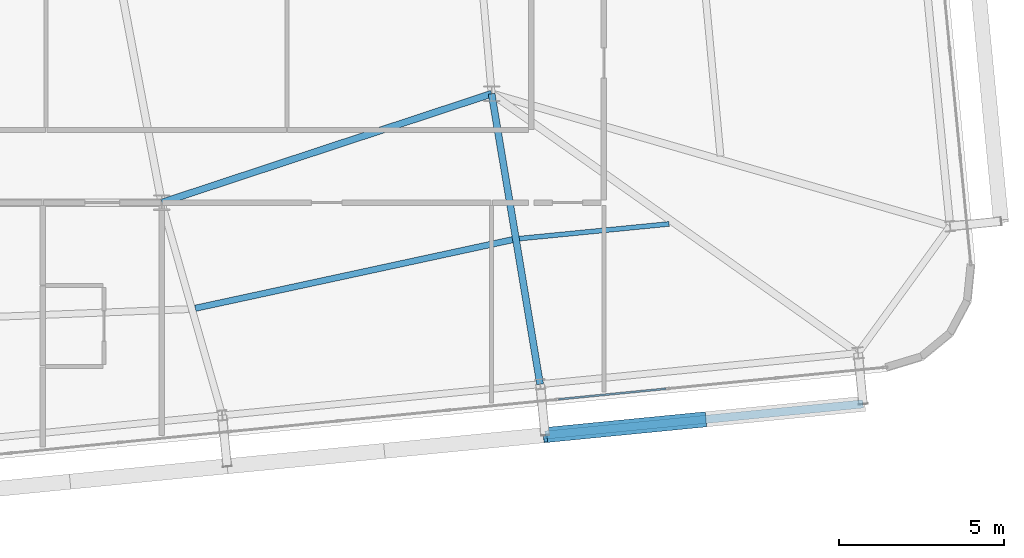
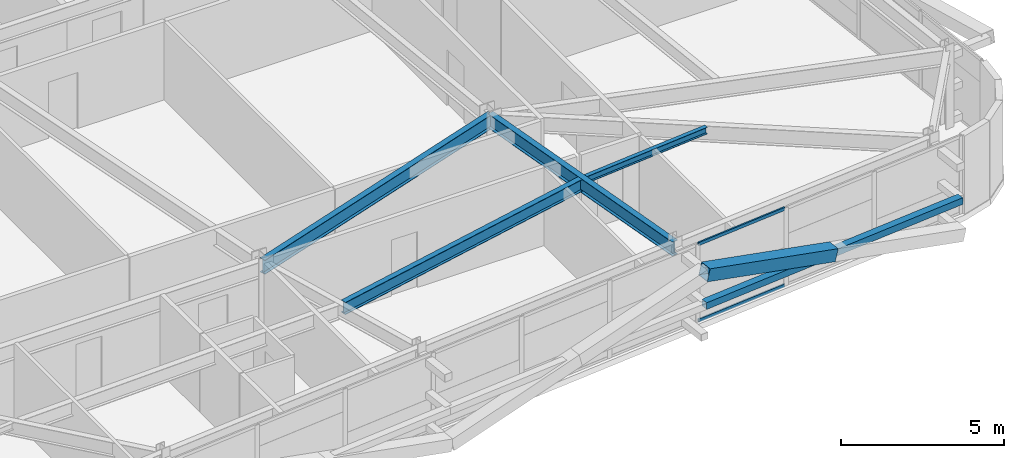
# One storey, part 19 of 52: 4 beams, 4 members, 1 element without a shape of its own.
"""IFC4 building model written with IfcOpenShell, lengths in metres."""

from ifc_helpers import new_model, si_unit, direction, frame, origin, origin_2d, place, context, subcontext, project, spatial, hollow_rectangle, i_section, extrude, source, transform, mapped, material, layer, layer_set, material_profile, profile_set, type_object, element, aggregate, save


model = new_model("IFC4")

# Units and contexts
model_context = context("Model", 3, precision=1e-05, world=origin(), true_north=direction((0.0, 1.0)))
body_context = subcontext(model_context, "Body", "Model", "MODEL_VIEW")
ifc_project = project(units=[si_unit("LENGTHUNIT", "METRE"), si_unit("AREAUNIT", "SQUARE_METRE"), si_unit("VOLUMEUNIT", "CUBIC_METRE"), si_unit("PLANEANGLEUNIT", "RADIAN"), si_unit("MASSUNIT", "GRAM", prefix="KILO")], contexts=[model_context])

# Site, building, storey
site_placement = place(None, origin())
site = spatial("IfcSite", under=ifc_project, at=site_placement, CompositionType="ELEMENT")
building_placement = place(site_placement, origin())
building = spatial("IfcBuilding", under=site, at=building_placement, Name="Taldren Reach Tower", CompositionType="ELEMENT")
storey_placement = place(building_placement, frame((0.0, 0.0, 96.60009765625)))
storey = spatial("IfcBuildingStorey", under=building, at=storey_placement, Name="L29", CompositionType="ELEMENT", Elevation=96.60009765625)

# Beams
ifc_material_1 = material(Name="Steel Gr 350 (350PLUS)", Category="steel")
ifc_material_profile_1 = material_profile(ifc_material_1, i_section(OverallWidth=0.208984375, OverallDepth=0.532958984375, WebThickness=0.01025390625, FlangeThickness=0.015625, at=origin_2d()), Name="530UB92.4")
ifc_profile_set_1 = profile_set([ifc_material_profile_1], Name="Steel Gr 350 (350PLUS)")
beam_type_1 = type_object("IfcBeamType", Name="BM-UB530A", PredefinedType="BEAM", material=ifc_profile_set_1)
shared_shape_1 = source(origin(), body_context, "Body", "SweptSolid", [
    extrude(i_section(OverallWidth=0.208984375, OverallDepth=0.532958984375, WebThickness=0.01025390625, FlangeThickness=0.015625, at=origin_2d()), origin(), (0.0, 0.0, 1.0), 10.530517578125),
])
beam_1_placement = place(storey_placement, frame((42.0, 9.199951171875, 2.663330078125), z_axis=(0.949627269203, 0.313381635689, 0.0), x_axis=(-0.313381635689, 0.949627269203, 0.0)))
element("IfcBeam", 1, at=beam_1_placement, inside=storey, type_object=beam_type_1, Name="Core-spine girder L29-SP12", PredefinedType="BEAM", context=body_context, shape_type="MappedRepresentation", body=[
    mapped(shared_shape_1, transform((0.0, 0.0, 0.0), scale=1.0)),
])
shared_shape_2 = source(origin(), body_context, "Body", "SweptSolid", [
    extrude(i_section(OverallWidth=0.208984375, OverallDepth=0.532958984375, WebThickness=0.01025390625, FlangeThickness=0.015625, at=origin_2d()), origin(), (0.0, 0.0, 1.0), 8.92333984375),
])
beam_2_placement = place(storey_placement, frame((52.0, 12.5, 2.663330078125), z_axis=(0.164678494096, -0.986347298664, 0.0), x_axis=(0.986347298664, 0.164678494096, 0.0)))
element("IfcBeam", 2, at=beam_2_placement, inside=storey, type_object=beam_type_1, Name="Primary floor girder B2-S5 L29", PredefinedType="BEAM", context=body_context, shape_type="MappedRepresentation", body=[
    mapped(shared_shape_2, transform((0.0, 0.0, 0.0), scale=1.0)),
])
ifc_material_profile_2 = material_profile(ifc_material_1, i_section(OverallWidth=0.19091796875, OverallDepth=0.4599609375, WebThickness=0.010009765625, FlangeThickness=0.01611328125, at=origin_2d()), Name="460UB82.1")
ifc_profile_set_2 = profile_set([ifc_material_profile_2], Name="Steel Gr 350 (350PLUS)")
beam_type_2 = type_object("IfcBeamType", Name="BM-UB460A", PredefinedType="BEAM", material=ifc_profile_set_2)
shared_shape_3 = source(origin(), body_context, "Body", "SweptSolid", [
    extrude(i_section(OverallWidth=0.19091796875, OverallDepth=0.4599609375, WebThickness=0.010009765625, FlangeThickness=0.01611328125, at=origin_2d()), origin(), (0.0, 0.0, 1.0), 9.83447265625),
])
beam_3_placement = place(storey_placement, frame((43.02001953125, 5.9990234375, 2.699951171875), z_axis=(0.977418600156, 0.211312280924, 0.0), x_axis=(-0.211312280924, 0.977418600156, 0.0)))
element("IfcBeam", 3, at=beam_3_placement, inside=storey, type_object=beam_type_2, Name="Secondary floor beam B2 J4 L29", PredefinedType="BEAM", context=body_context, shape_type="MappedRepresentation", body=[
    mapped(shared_shape_3, transform((0.0, 0.0, 0.0), scale=1.0)),
])
ifc_material_2 = material(Name="Steel Gr 300 (300PLUS, 300 MPa)", Category="steel")
ifc_material_profile_3 = material_profile(ifc_material_2, i_section(OverallWidth=0.14599609375, OverallDepth=0.256103515625, WebThickness=0.00634765625, FlangeThickness=0.010986328125, at=origin_2d()), Name="250UB37.3")
ifc_profile_set_3 = profile_set([ifc_material_profile_3], Name="Steel Gr 300 (300PLUS, 300 MPa)")
beam_type_3 = type_object("IfcBeamType", Name="JS-UB250", PredefinedType="JOIST", material=ifc_profile_set_3)
shared_shape_4 = source(origin(), body_context, "Body", "SweptSolid", [
    extrude(i_section(OverallWidth=0.14599609375, OverallDepth=0.256103515625, WebThickness=0.00634765625, FlangeThickness=0.010986328125, at=origin_2d()), origin(), (0.0, 0.0, 1.0), 4.56103515625),
])
beam_4_placement = place(storey_placement, frame((52.8388671875, 8.109375, 2.802001953125), z_axis=(0.995227709746, 0.097579740487, 0.0), x_axis=(-0.097579740487, 0.995227709746, 0.0)))
element("IfcBeam", 4, at=beam_4_placement, inside=storey, type_object=beam_type_3, Name="Secondary floor joist B2 J5 L29", PredefinedType="JOIST", context=body_context, shape_type="MappedRepresentation", body=[
    mapped(shared_shape_4, transform((0.0, 0.0, 0.0), scale=1.0)),
])

# Members
ifc_material_3 = material(Name="Steel Gr 450 (C450L0)", Category="steel")
ifc_material_profile_4 = material_profile(ifc_material_3, hollow_rectangle(XDim=0.4599609375, YDim=0.4599609375, WallThickness=0.01611328125, at=origin_2d()), Name="460x460x16.0SHS")
ifc_profile_set_4 = profile_set([ifc_material_profile_4], Name="Steel Gr 450 (C450L0)")
member_type_1 = type_object("IfcMemberType", Name="MB-EXO457", PredefinedType="BRACE", material=ifc_profile_set_4)
shared_shape_5 = source(origin(), body_context, "Body", "SweptSolid", [
    extrude(hollow_rectangle(XDim=0.4599609375, YDim=0.4599609375, WallThickness=0.01611328125, at=origin_2d()), origin(), (0.0, 0.0, 1.0), 4.990234375),
])
member_1_placement = place(storey_placement, frame((58.4375, 2.628173828125, 1.434814453125), z_axis=(-0.965275526283, -0.094619506732, 0.243496010862), x_axis=(0.097555749586, -0.995230061706, 0.0)))
element("IfcMember", 5, at=member_1_placement, inside=storey, type_object=member_type_1, Name="Exoskeleton Diagrid Brace B2-S5 L29", PredefinedType="BRACE", context=body_context, shape_type="MappedRepresentation", body=[
    mapped(shared_shape_5, transform((0.0, 0.0, 0.0), scale=1.0)),
])
ifc_material_4 = material(Name="Steel Gr 350 (C350L0)", Category="steel")
ifc_material_profile_5 = material_profile(ifc_material_4, hollow_rectangle(XDim=0.25, YDim=0.25, WallThickness=0.010009765625, at=origin_2d()), Name="250x250x10.0SHS")
ifc_profile_set_5 = profile_set([ifc_material_profile_5], Name="Steel Gr 350 (C350L0)")
member_type_2 = type_object("IfcMemberType", Name="MB-POST250", PredefinedType="POST", material=ifc_profile_set_5)
shared_shape_6 = source(origin(), body_context, "Body", "SweptSolid", [
    extrude(hollow_rectangle(XDim=0.25, YDim=0.25, WallThickness=0.010009765625, at=origin_2d()), origin(), (0.0, 0.0, 1.0), 9.679931640625),
])
member_2_placement = place(storey_placement, frame((53.62060546875, 2.156005859375, 1.434814453125), z_axis=(0.995227612658, 0.097580730699, 0.0), x_axis=(-0.097580730699, 0.995227612658, 0.0)))
element("IfcMember", 6, at=member_2_placement, inside=storey, type_object=member_type_2, Name="Exoskeleton mid-height ring chord B2-S5 L29", PredefinedType="POST", context=body_context, shape_type="MappedRepresentation", body=[
    mapped(shared_shape_6, transform((0.0, 0.0, 0.0), scale=1.0)),
])

# Curtain wall, members
ifc_material_5 = material(Name="Aluminium and Low-E Glass Unitised System", Category="aluminium")
ifc_layer = layer(ifc_material_5, 0.159912109375)
ifc_layer_set = layer_set([ifc_layer], Name="Aluminium and Low-E Glass Unitised System")
curtain_wall_type = type_object("IfcCurtainWallType", Name="CW-SYS-3", PredefinedType="NOTDEFINED", material=ifc_layer_set)
curtain_wall_placement = place(storey_placement, origin())
curtain_wall = element("IfcCurtainWall", 7, at=curtain_wall_placement, inside=storey, type_object=curtain_wall_type, Name="Unitised curtain wall CW-L29-S", PredefinedType="NOTDEFINED")
ifc_material_6 = material(Name="Anodised Aluminium 6063-T6", Category="aluminium")
ifc_material_profile_6 = material_profile(ifc_material_6, hollow_rectangle(XDim=0.054931640625, YDim=0.1201171875, WallThickness=0.0029296875, at=origin_2d()), Name="ALU-120x55x3RHS")
ifc_profile_set_6 = profile_set([ifc_material_profile_6], Name="Anodised Aluminium 6063-T6")
member_type_3 = type_object("IfcMemberType", Name="CW-TRN-135", PredefinedType="USERDEFINED", material=ifc_profile_set_6)
shared_shape_7 = source(origin(), body_context, "Body", "SweptSolid", [
    extrude(hollow_rectangle(XDim=0.054931640625, YDim=0.1201171875, WallThickness=0.0029296875, at=origin_2d()), origin(), (0.0, 0.0, 1.0), 3.268310546875),
])
member_3_placement = place(storey_placement, frame((54.029296875, 3.240966796875, 0.02734375), z_axis=(0.99522980512, 0.097558367146, 0.0), x_axis=(-0.097558367146, 0.99522980512, 0.0)))
member_3 = element("IfcMember", 8, at=member_3_placement, type_object=member_type_3, Name="CW-3 transom 13.1", ObjectType="TRANSOM", PredefinedType="USERDEFINED", context=body_context, shape_type="MappedRepresentation", body=[
    mapped(shared_shape_7, transform((0.0, 0.0, 0.0), scale=1.0)),
])
member_4_placement = place(storey_placement, frame((54.029296875, 3.240966796875, 2.90234375), z_axis=(0.99522980512, 0.097558367146, 0.0), x_axis=(-0.097558367146, 0.99522980512, 0.0)))
member_4 = element("IfcMember", 9, at=member_4_placement, type_object=member_type_3, Name="CW-3 transom 13.2", ObjectType="TRANSOM", PredefinedType="USERDEFINED", context=body_context, shape_type="MappedRepresentation", body=[
    mapped(shared_shape_7, transform((0.0, 0.0, 0.0), scale=1.0)),
])
aggregate(curtain_wall, [member_3, member_4])

save(model, "model.ifc")
